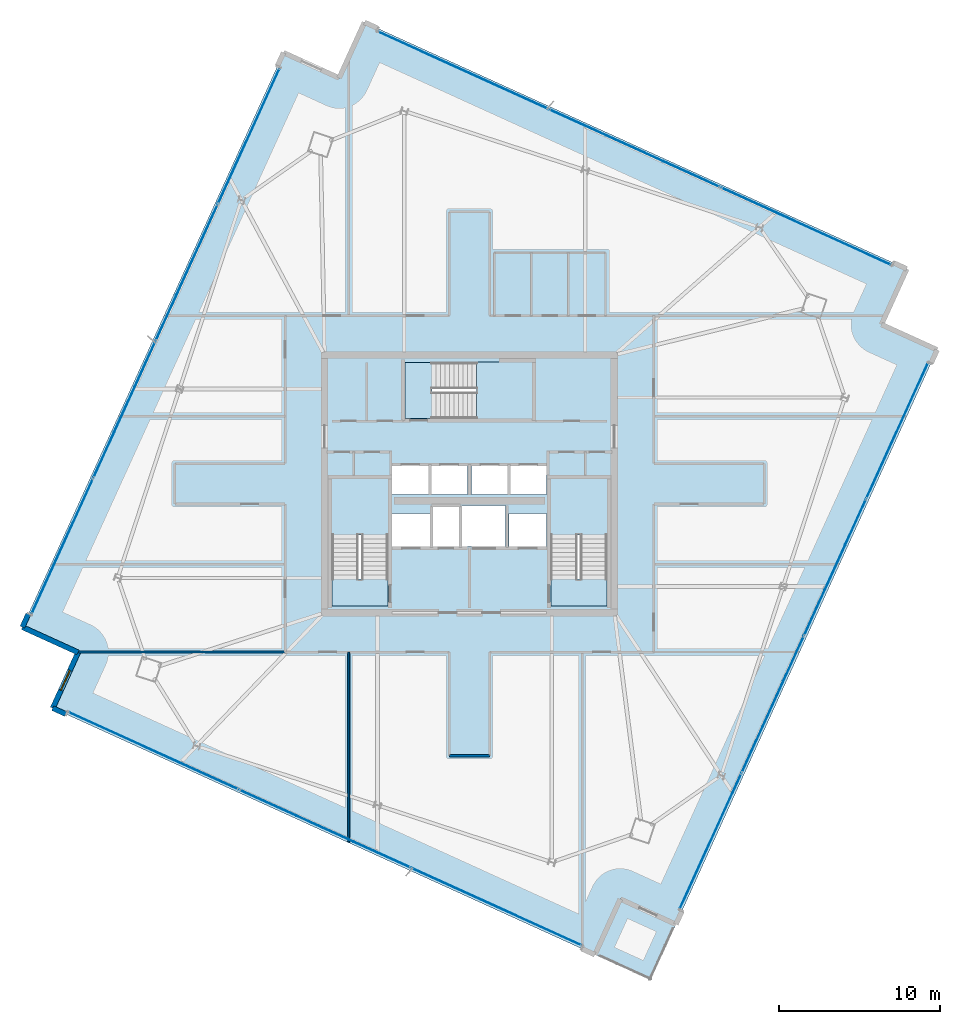
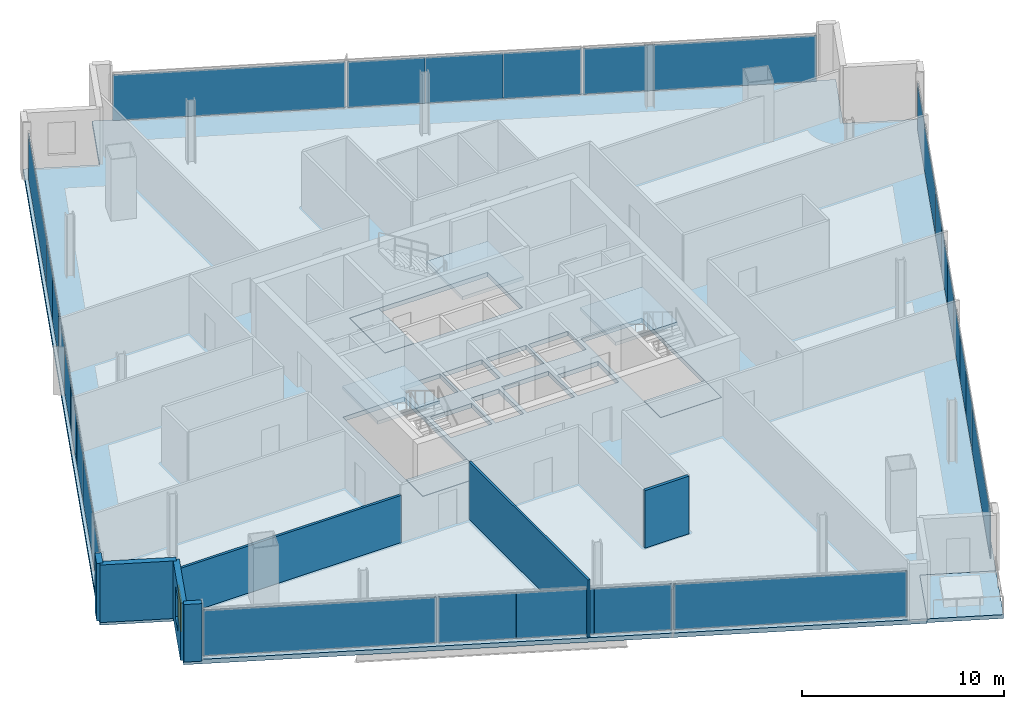
# One storey, part 18 of 26: 26 plates, 8 slabs, 7 walls, 1 window, 1 opening, 7 elements without a shape of their own.
"""IFC4 building model written with IfcOpenShell, lengths in metres."""

from ifc_helpers import new_model, si_unit, direction, frame, frame_2d, origin, origin_2d, place, context, subcontext, project, spatial, polyline, rectangle, outline, extrude, source, transform, mapped, material, layer, layer_set, type_object, element, fill, aggregate, save


model = new_model("IFC4")

# Units and contexts
model_context = context("Model", 3, precision=1e-05, world=origin(), true_north=direction((0.0, 1.0)))
body_context = subcontext(model_context, "Body", "Model", "MODEL_VIEW")
ifc_project = project(units=[si_unit("LENGTHUNIT", "METRE"), si_unit("AREAUNIT", "SQUARE_METRE"), si_unit("VOLUMEUNIT", "CUBIC_METRE"), si_unit("PLANEANGLEUNIT", "RADIAN"), si_unit("MASSUNIT", "GRAM", prefix="KILO")], contexts=[model_context])

# Site, building, storey
site_placement = place(None, origin())
site = spatial("IfcSite", under=ifc_project, at=site_placement, CompositionType="ELEMENT")
building_placement = place(site_placement, origin())
building = spatial("IfcBuilding", under=site, at=building_placement, Name="Haldenkirk Collegiate Tower", CompositionType="ELEMENT")
storey_placement = place(building_placement, frame((0.0, 0.0, 248.699951171875)))
storey = spatial("IfcBuildingStorey", under=building, at=storey_placement, Name="L62", CompositionType="ELEMENT", Elevation=248.699951171875)

# Slab
ifc_material_1 = material(Name="Concrete f'c 40 MPa", Category="concrete")
ifc_layer_1 = layer(ifc_material_1, 0.27001953125)
ifc_layer_set_1 = layer_set([ifc_layer_1], Name="Concrete f'c 40 MPa")
slab_type_1 = type_object("IfcSlabType", Name="SLB-FLR-270", PredefinedType="FLOOR", material=ifc_layer_set_1)
slab_1_placement = place(storey_placement, frame((0.0, 0.0, -0.27001953125)))
element("IfcSlab", 1, at=slab_1_placement, inside=storey, type_object=slab_type_1, Name="L62 composite structural floor slab", PredefinedType="FLOOR", context=body_context, shape_type="SweptSolid", body=[
    extrude(outline(polyline([(48.824951171875, -1.362060546875), (65.0498046875, 34.32275390625), (61.590576171875, 35.8955078125), (63.163330078125, 39.354736328125), (29.4814453125, 54.6689453125), (27.90869140625, 51.209716796875), (24.449462890625, 52.782470703125), (8.224609375, 17.097900390625), (11.683837890625, 15.525146484375), (10.111083984375, 12.06591796875), (43.79296875, -3.248291015625), (45.36572265625, 0.210693359375), (48.824951171875, -1.362060546875)]), holes=[polyline([(27.449951171875, 18.39990234375), (30.949951171875, 18.39990234375), (30.949951171875, 26.300048828125), (27.449951171875, 26.300048828125), (27.449951171875, 18.39990234375)]), polyline([(41.050048828125, 18.39990234375), (44.550048828125, 18.39990234375), (44.550048828125, 26.300048828125), (41.050048828125, 26.300048828125), (41.050048828125, 18.39990234375)]), polyline([(32.0, 30.050048828125), (39.89990234375, 30.050048828125), (39.89990234375, 33.550048828125), (32.0, 33.550048828125), (32.0, 30.050048828125)]), polyline([(33.75, 22.10009765625), (35.35009765625, 22.10009765625), (35.35009765625, 24.550048828125), (33.75, 24.550048828125), (33.75, 22.10009765625)]), polyline([(31.199951171875, 25.35009765625), (33.47998046875, 25.35009765625), (33.47998046875, 27.14990234375), (31.199951171875, 27.14990234375), (31.199951171875, 25.35009765625)]), polyline([(33.60009765625, 25.35009765625), (35.8798828125, 25.35009765625), (35.8798828125, 27.14990234375), (33.60009765625, 27.14990234375), (33.60009765625, 25.35009765625)]), polyline([(36.1201171875, 25.35009765625), (38.39990234375, 25.35009765625), (38.39990234375, 27.14990234375), (36.1201171875, 27.14990234375), (36.1201171875, 25.35009765625)]), polyline([(38.52001953125, 25.35009765625), (40.800048828125, 25.35009765625), (40.800048828125, 27.14990234375), (38.52001953125, 27.14990234375), (38.52001953125, 25.35009765625)]), polyline([(31.199951171875, 22.10009765625), (33.550048828125, 22.10009765625), (33.550048828125, 24.14990234375), (31.199951171875, 24.14990234375), (31.199951171875, 22.10009765625)]), polyline([(38.449951171875, 22.10009765625), (40.800048828125, 22.10009765625), (40.800048828125, 24.14990234375), (38.449951171875, 24.14990234375), (38.449951171875, 22.10009765625)]), polyline([(35.550048828125, 22.10009765625), (38.25, 22.10009765625), (38.25, 24.64990234375), (35.550048828125, 24.64990234375), (35.550048828125, 22.10009765625)])]), origin(), (0.0, 0.0, 1.0), 0.27001953125),
])

# Stair, slab
stair_type = type_object("IfcStairType", Name="STR-DOGLEG-1650", PredefinedType="HALF_TURN_STAIR", material=ifc_material_1)
stair_1_placement = place(storey_placement, origin())
stair_1 = element("IfcStair", 2, at=stair_1_placement, inside=storey, type_object=stair_type, Name="L62 Core Exit Stair ST-1", PredefinedType="HALF_TURN_STAIR")
ifc_layer_2 = layer(ifc_material_1, 0.199951171875)
ifc_layer_set_2 = layer_set([ifc_layer_2], Name="Concrete f'c 40 MPa")
slab_type_2 = type_object("IfcSlabType", Name="SLB-LANDING-200", PredefinedType="LANDING", material=ifc_layer_set_2)
slab_2_placement = place(storey_placement, frame((0.0, 0.0, 1.675048828125)))
slab_2 = element("IfcSlab", 3, at=slab_2_placement, type_object=slab_type_2, Name="ST-1 landing 1", PredefinedType="LANDING", context=body_context, shape_type="SweptSolid", body=[
    extrude(outline(polyline([(30.97509765625, 22.824951171875), (27.425048828125, 22.824951171875), (27.425048828125, 26.324951171875), (30.97509765625, 26.324951171875), (30.97509765625, 22.824951171875)])), origin(), (0.0, 0.0, 1.0), 0.199951171875),
])
aggregate(stair_1, [slab_2])

stair_2_placement = place(storey_placement, origin())
stair_2 = element("IfcStair", 4, at=stair_2_placement, inside=storey, type_object=stair_type, Name="L62 Core Exit Stair ST-2", PredefinedType="HALF_TURN_STAIR")
slab_3_placement = place(storey_placement, frame((0.0, 0.0, 1.675048828125)))
slab_3 = element("IfcSlab", 5, at=slab_3_placement, type_object=slab_type_2, Name="ST-2 landing 1", PredefinedType="LANDING", context=body_context, shape_type="SweptSolid", body=[
    extrude(outline(polyline([(44.574951171875, 22.824951171875), (41.02490234375, 22.824951171875), (41.02490234375, 26.324951171875), (44.574951171875, 26.324951171875), (44.574951171875, 22.824951171875)])), origin(), (0.0, 0.0, 1.0), 0.199951171875),
])
aggregate(stair_2, [slab_3])

stair_3_placement = place(storey_placement, origin())
stair_3 = element("IfcStair", 6, at=stair_3_placement, inside=storey, type_object=stair_type, Name="L62 Core Exit Stair ST-3", PredefinedType="HALF_TURN_STAIR")
slab_4_placement = place(storey_placement, frame((0.0, 0.0, 1.675048828125)))
slab_4 = element("IfcSlab", 7, at=slab_4_placement, type_object=slab_type_2, Name="ST-3 landing 1", PredefinedType="LANDING", context=body_context, shape_type="SweptSolid", body=[
    extrude(outline(polyline([(36.425048828125, 30.02490234375), (36.425048828125, 33.574951171875), (39.925048828125, 33.574951171875), (39.925048828125, 30.02490234375), (36.425048828125, 30.02490234375)])), origin(), (0.0, 0.0, 1.0), 0.199951171875),
])
aggregate(stair_3, [slab_4])

# Slabs
ifc_layer_3 = layer(ifc_material_1, 0.25)
ifc_layer_set_3 = layer_set([ifc_layer_3], Name="Concrete f'c 40 MPa")
slab_type_3 = type_object("IfcSlabType", Name="SLB-STAIRLAND-250", PredefinedType="LANDING", material=ifc_layer_set_3)
slab_5_placement = place(storey_placement, frame((0.0, 0.0, -0.25)))
element("IfcSlab", 8, at=slab_5_placement, inside=storey, type_object=slab_type_3, Name="L62 stair ST1 structural floor landing slab", PredefinedType="LANDING", context=body_context, shape_type="SweptSolid", body=[
    extrude(outline(polyline([(27.4599609375, 18.409912109375), (30.93994140625, 18.409912109375), (30.93994140625, 20.080078125), (27.4599609375, 20.080078125), (27.4599609375, 18.409912109375)])), origin(), (0.0, 0.0, 1.0), 0.25),
])
slab_6_placement = place(storey_placement, frame((0.0, 0.0, -0.25)))
element("IfcSlab", 9, at=slab_6_placement, inside=storey, type_object=slab_type_3, Name="L62 stair ST2 structural floor landing slab", PredefinedType="LANDING", context=body_context, shape_type="SweptSolid", body=[
    extrude(outline(polyline([(41.06005859375, 18.409912109375), (44.5400390625, 18.409912109375), (44.5400390625, 20.080078125), (41.06005859375, 20.080078125), (41.06005859375, 18.409912109375)])), origin(), (0.0, 0.0, 1.0), 0.25),
])
slab_7_placement = place(storey_placement, frame((0.0, 0.0, -0.25)))
element("IfcSlab", 10, at=slab_7_placement, inside=storey, type_object=slab_type_3, Name="L62 stair ST3 structural floor landing slab", PredefinedType="LANDING", context=body_context, shape_type="SweptSolid", body=[
    extrude(outline(polyline([(32.010009765625, 30.06005859375), (33.679931640625, 30.06005859375), (33.679931640625, 33.5400390625), (32.010009765625, 33.5400390625), (32.010009765625, 30.06005859375)])), origin(), (0.0, 0.0, 1.0), 0.25),
])
ifc_layer_4 = layer(ifc_material_1, 0.22998046875)
ifc_layer_set_4 = layer_set([ifc_layer_4], Name="Concrete f'c 40 MPa")
slab_type_4 = type_object("IfcSlabType", Name="SLB-TERR-SPIRAL-230", PredefinedType="FLOOR", material=ifc_layer_set_4)
slab_8_placement = place(storey_placement, frame((0.0, 0.0, -0.22998046875)))
element("IfcSlab", 11, at=slab_8_placement, inside=storey, type_object=slab_type_4, Name="L62 spiralling corner terrace slab", PredefinedType="FLOOR", context=body_context, shape_type="SweptSolid", body=[
    extrude(outline(polyline([(47.252197265625, -4.8212890625), (48.824951171875, -1.362060546875), (45.36572265625, 0.210693359375), (43.79296875, -3.248291015625), (47.252197265625, -4.8212890625)])), origin(), (0.0, 0.0, 1.0), 0.22998046875),
])

# Curtain wall, plates
ifc_material_2 = material(Name="Anodised architectural bronze aluminium", Category="aluminium")
curtain_wall_type_1 = type_object("IfcCurtainWallType", Name="CW-SYS2-CONCAVE", PredefinedType="USERDEFINED", material=ifc_material_2)
curtain_wall_1_placement = place(storey_placement, origin())
curtain_wall_1 = element("IfcCurtainWall", 12, at=curtain_wall_1_placement, inside=storey, type_object=curtain_wall_type_1, Name="L62 South concave recessed bronze-anodised curtain wall", ObjectType="UNITISED CURTAIN WALL", PredefinedType="USERDEFINED")
ifc_material_3 = material(Name="Low-E argon triple insulating glass", Category="glass")
ifc_layer_5 = layer(ifc_material_3, 0.0419921875)
ifc_layer_set_5 = layer_set([ifc_layer_5], Name="Low-E argon triple insulating glass")
plate_type_1 = type_object("IfcPlateType", Name="CW-PNL-02", PredefinedType="CURTAIN_PANEL", material=ifc_layer_set_5)
shared_shape_1 = source(origin(), body_context, "Body", "SweptSolid", [
    extrude(rectangle(XDim=9.237548828125, YDim=0.0419921875, at=origin_2d()), origin(), (0.0, 0.0, 1.0), 2.7880859375),
])
plate_1_placement = place(storey_placement, frame((62.570556640625, 29.30517578125, 0.074951171875), z_axis=(0.0, 0.0, 1.0), x_axis=(-0.413898228049, -0.910323160651, 0.0)))
plate_1 = element("IfcPlate", 13, at=plate_1_placement, type_object=plate_type_1, Name="CW-02 panel 1.1", PredefinedType="CURTAIN_PANEL", context=body_context, shape_type="MappedRepresentation", body=[
    mapped(shared_shape_1, transform((0.0, 0.0, 0.0), x_axis=(1.0, 0.0, 0.0), y_axis=(0.0, 1.0, 0.0), z_axis=(0.0, 0.0, 1.0), scale=1.0)),
])
plate_2_placement = place(storey_placement, frame((50.976318359375, 3.8046875, 0.074951171875), z_axis=(0.0, 0.0, 1.0), x_axis=(-0.413898228049, -0.910323160651, 0.0)))
plate_2 = element("IfcPlate", 14, at=plate_2_placement, type_object=plate_type_1, Name="CW-02 panel 4.1", PredefinedType="CURTAIN_PANEL", context=body_context, shape_type="MappedRepresentation", body=[
    mapped(shared_shape_1, transform((0.0, 0.0, 0.0), x_axis=(1.0, 0.0, 0.0), y_axis=(0.0, 1.0, 0.0), z_axis=(0.0, 0.0, 1.0), scale=1.0)),
])
shared_shape_2 = source(origin(), body_context, "Body", "SweptSolid", [
    extrude(rectangle(XDim=3.0791015625, YDim=0.0419921875, at=origin_2d()), origin(), (0.0, 0.0, 1.0), 2.7880859375),
])
plate_3_placement = place(storey_placement, frame((59.99072265625, 23.630615234375, 0.074951171875), z_axis=(0.0, 0.0, 1.0), x_axis=(-0.413898228049, -0.910323160651, 0.0)))
plate_3 = element("IfcPlate", 15, at=plate_3_placement, type_object=plate_type_1, Name="CW-02 panel 2.1a", PredefinedType="CURTAIN_PANEL", context=body_context, shape_type="MappedRepresentation", body=[
    mapped(shared_shape_2, transform((0.0, 0.0, 0.0), x_axis=(1.0, 0.0, 0.0), y_axis=(0.0, 1.0, 0.0), z_axis=(0.0, 0.0, 1.0), scale=1.0)),
])
ifc_material_4 = material(Name="Bronze-anodised insulated aluminium spandrel panel", Category="aluminium")
ifc_layer_6 = layer(ifc_material_4, 0.0419921875)
ifc_layer_set_6 = layer_set([ifc_layer_6], Name="Bronze-anodised insulated aluminium spandrel panel")
plate_type_2 = type_object("IfcPlateType", Name="CW-SPD-02", PredefinedType="CURTAIN_PANEL", material=ifc_layer_set_6)
plate_4_placement = place(storey_placement, frame((57.42626953125, 17.990478515625, 0.074951171875), z_axis=(0.0, 0.0, 1.0), x_axis=(-0.413898228049, -0.910323160651, 0.0)))
plate_4 = element("IfcPlate", 16, at=plate_4_placement, type_object=plate_type_2, Name="CW-02 spandrel panel 2.1c", PredefinedType="CURTAIN_PANEL", context=body_context, shape_type="MappedRepresentation", body=[
    mapped(shared_shape_2, transform((0.0, 0.0, 0.0), x_axis=(1.0, 0.0, 0.0), y_axis=(0.0, 1.0, 0.0), z_axis=(0.0, 0.0, 1.0), scale=1.0)),
])
plate_5_placement = place(storey_placement, frame((56.12060546875, 15.119140625, 0.074951171875), z_axis=(0.0, 0.0, 1.0), x_axis=(-0.413898228049, -0.910323160651, 0.0)))
plate_5 = element("IfcPlate", 17, at=plate_5_placement, type_object=plate_type_2, Name="CW-02 spandrel panel 3.1a", PredefinedType="CURTAIN_PANEL", context=body_context, shape_type="MappedRepresentation", body=[
    mapped(shared_shape_2, transform((0.0, 0.0, 0.0), x_axis=(1.0, 0.0, 0.0), y_axis=(0.0, 1.0, 0.0), z_axis=(0.0, 0.0, 1.0), scale=1.0)),
])
plate_6_placement = place(storey_placement, frame((53.556396484375, 9.47900390625, 0.074951171875), z_axis=(0.0, 0.0, 1.0), x_axis=(-0.413898228049, -0.910323160651, 0.0)))
plate_6 = element("IfcPlate", 18, at=plate_6_placement, type_object=plate_type_1, Name="CW-02 panel 3.1c", PredefinedType="CURTAIN_PANEL", context=body_context, shape_type="MappedRepresentation", body=[
    mapped(shared_shape_2, transform((0.0, 0.0, 0.0), x_axis=(1.0, 0.0, 0.0), y_axis=(0.0, 1.0, 0.0), z_axis=(0.0, 0.0, 1.0), scale=1.0)),
])
shared_shape_3 = source(origin(), body_context, "Body", "SweptSolid", [
    extrude(rectangle(XDim=3.066650390625, YDim=0.0419921875, at=origin_2d()), origin(), (0.0, 0.0, 1.0), 2.7880859375),
])
plate_7_placement = place(storey_placement, frame((58.70849609375, 20.810546875, 0.074951171875), z_axis=(0.0, 0.0, 1.0), x_axis=(-0.413898228049, -0.910323160651, 0.0)))
plate_7 = element("IfcPlate", 19, at=plate_7_placement, type_object=plate_type_2, Name="CW-02 spandrel panel 2.1b", PredefinedType="CURTAIN_PANEL", context=body_context, shape_type="MappedRepresentation", body=[
    mapped(shared_shape_3, transform((0.0, 0.0, 0.0), x_axis=(1.0, 0.0, 0.0), y_axis=(0.0, 1.0, 0.0), z_axis=(0.0, 0.0, 1.0), scale=1.0)),
])
plate_8_placement = place(storey_placement, frame((54.83837890625, 12.299072265625, 0.074951171875), z_axis=(0.0, 0.0, 1.0), x_axis=(-0.413898228049, -0.910323160651, 0.0)))
plate_8 = element("IfcPlate", 20, at=plate_8_placement, type_object=plate_type_2, Name="CW-02 spandrel panel 3.1b", PredefinedType="CURTAIN_PANEL", context=body_context, shape_type="MappedRepresentation", body=[
    mapped(shared_shape_3, transform((0.0, 0.0, 0.0), x_axis=(1.0, 0.0, 0.0), y_axis=(0.0, 1.0, 0.0), z_axis=(0.0, 0.0, 1.0), scale=1.0)),
])
aggregate(curtain_wall_1, [plate_1, plate_3, plate_7, plate_4, plate_5, plate_8, plate_6, plate_2])

curtain_wall_type_2 = type_object("IfcCurtainWallType", Name="CW-SYS1B-CONVEX-HI", PredefinedType="USERDEFINED", material=ifc_material_2)
curtain_wall_2_placement = place(storey_placement, origin())
curtain_wall_2 = element("IfcCurtainWall", 21, at=curtain_wall_2_placement, inside=storey, type_object=curtain_wall_type_2, Name="L62 Upper tower high-wind convex bronze unitised curtain wall", ObjectType="UNITISED CURTAIN WALL", PredefinedType="USERDEFINED")
ifc_layer_7 = layer(ifc_material_3, 0.048095703125)
ifc_layer_set_7 = layer_set([ifc_layer_7], Name="Low-E argon triple insulating glass")
plate_type_3 = type_object("IfcPlateType", Name="CW-PNL-1B", PredefinedType="CURTAIN_PANEL", material=ifc_layer_set_7)
shared_shape_4 = source(origin(), body_context, "Body", "SweptSolid", [
    extrude(rectangle(XDim=11.605712890625, YDim=0.048095703125, at=origin_2d()), origin(), (0.0, 0.0, 1.0), 2.76806640625),
])
plate_9_placement = place(storey_placement, frame((35.586181640625, 51.695556640625, 0.0849609375), z_axis=(0.0, 0.0, 1.0), x_axis=(0.910321912677, -0.413900972818, 0.0)))
plate_9 = element("IfcPlate", 22, at=plate_9_placement, type_object=plate_type_3, Name="CW-1B panel 1.1", PredefinedType="CURTAIN_PANEL", context=body_context, shape_type="MappedRepresentation", body=[
    mapped(shared_shape_4, transform((0.0, 0.0, 0.0), x_axis=(1.0, 0.0, 0.0), y_axis=(0.0, 1.0, 0.0), z_axis=(0.0, 0.0, 1.0), scale=1.0)),
])
plate_10_placement = place(storey_placement, frame((56.90966796875, 42.000244140625, 0.0849609375), z_axis=(0.0, 0.0, 1.0), x_axis=(0.910321912677, -0.413900972818, 0.0)))
plate_10 = element("IfcPlate", 23, at=plate_10_placement, type_object=plate_type_3, Name="CW-1B panel 3.1", PredefinedType="CURTAIN_PANEL", context=body_context, shape_type="MappedRepresentation", body=[
    mapped(shared_shape_4, transform((0.0, 0.0, 0.0), x_axis=(1.0, 0.0, 0.0), y_axis=(0.0, 1.0, 0.0), z_axis=(0.0, 0.0, 1.0), scale=1.0)),
])
ifc_layer_8 = layer(ifc_material_4, 0.048095703125)
ifc_layer_set_8 = layer_set([ifc_layer_8], Name="Bronze-anodised insulated aluminium spandrel panel")
plate_type_4 = type_object("IfcPlateType", Name="CW-SPD-1B", PredefinedType="CURTAIN_PANEL", material=ifc_layer_set_8)
shared_shape_5 = source(origin(), body_context, "Body", "SweptSolid", [
    extrude(rectangle(XDim=3.870361328125, YDim=0.048095703125, at=origin_2d()), origin(), (0.0, 0.0, 1.0), 2.76806640625),
])
plate_11_placement = place(storey_placement, frame((42.707763671875, 48.45751953125, 0.0849609375), z_axis=(0.0, 0.0, 1.0), x_axis=(0.910321912677, -0.413900972818, 0.0)))
plate_11 = element("IfcPlate", 24, at=plate_11_placement, type_object=plate_type_4, Name="CW-1B spandrel panel 2.1a", PredefinedType="CURTAIN_PANEL", context=body_context, shape_type="MappedRepresentation", body=[
    mapped(shared_shape_5, transform((0.0, 0.0, 0.0), x_axis=(1.0, 0.0, 0.0), y_axis=(0.0, 1.0, 0.0), z_axis=(0.0, 0.0, 1.0), scale=1.0)),
])
plate_12_placement = place(storey_placement, frame((49.7880859375, 45.23828125, 0.0849609375), z_axis=(0.0, 0.0, 1.0), x_axis=(0.910321912677, -0.413900972818, 0.0)))
plate_12 = element("IfcPlate", 25, at=plate_12_placement, type_object=plate_type_4, Name="CW-1B spandrel panel 2.1c", PredefinedType="CURTAIN_PANEL", context=body_context, shape_type="MappedRepresentation", body=[
    mapped(shared_shape_5, transform((0.0, 0.0, 0.0), x_axis=(1.0, 0.0, 0.0), y_axis=(0.0, 1.0, 0.0), z_axis=(0.0, 0.0, 1.0), scale=1.0)),
])

curtain_wall_3_placement = place(storey_placement, origin())
curtain_wall_3 = element("IfcCurtainWall", 26, at=curtain_wall_3_placement, inside=storey, type_object=curtain_wall_type_2, Name="L62 Upper tower high-wind convex bronze unitised curtain wall", ObjectType="UNITISED CURTAIN WALL", PredefinedType="USERDEFINED")
plate_13_placement = place(storey_placement, frame((30.56689453125, 2.962890625, 0.0849609375), z_axis=(0.0, 0.0, 1.0), x_axis=(-0.910323469761, 0.413897548196, 0.0)))
plate_13 = element("IfcPlate", 27, at=plate_13_placement, type_object=plate_type_4, Name="CW-1B spandrel panel 2.1a", PredefinedType="CURTAIN_PANEL", context=body_context, shape_type="MappedRepresentation", body=[
    mapped(shared_shape_5, transform((0.0, 0.0, 0.0), x_axis=(1.0, 0.0, 0.0), y_axis=(0.0, 1.0, 0.0), z_axis=(0.0, 0.0, 1.0), scale=1.0)),
])
plate_14_placement = place(storey_placement, frame((23.486083984375, 6.182373046875, 0.0849609375), z_axis=(0.0, 0.0, 1.0), x_axis=(-0.910323469761, 0.413897548196, 0.0)))
plate_14 = element("IfcPlate", 28, at=plate_14_placement, type_object=plate_type_4, Name="CW-1B spandrel panel 2.1c", PredefinedType="CURTAIN_PANEL", context=body_context, shape_type="MappedRepresentation", body=[
    mapped(shared_shape_5, transform((0.0, 0.0, 0.0), x_axis=(1.0, 0.0, 0.0), y_axis=(0.0, 1.0, 0.0), z_axis=(0.0, 0.0, 1.0), scale=1.0)),
])

# Plate
shared_shape_6 = source(origin(), body_context, "Body", "SweptSolid", [
    extrude(rectangle(XDim=3.85791015625, YDim=0.048095703125, at=origin_2d()), origin(), (0.0, 0.0, 1.0), 2.76806640625),
])
plate_15_placement = place(storey_placement, frame((46.248046875, 46.847900390625, 0.0849609375), z_axis=(0.0, 0.0, 1.0), x_axis=(0.910321912677, -0.413900972818, 0.0)))
plate_15 = element("IfcPlate", 29, at=plate_15_placement, type_object=plate_type_4, Name="CW-1B spandrel panel 2.1b", PredefinedType="CURTAIN_PANEL", context=body_context, shape_type="MappedRepresentation", body=[
    mapped(shared_shape_6, transform((0.0, 0.0, 0.0), x_axis=(1.0, 0.0, 0.0), y_axis=(0.0, 1.0, 0.0), z_axis=(0.0, 0.0, 1.0), scale=1.0)),
])

aggregate(curtain_wall_2, [plate_9, plate_11, plate_15, plate_12, plate_10])

plate_16_placement = place(storey_placement, frame((27.026611328125, 4.572509765625, 0.0849609375), z_axis=(0.0, 0.0, 1.0), x_axis=(-0.910323469761, 0.413897548196, 0.0)))
plate_16 = element("IfcPlate", 30, at=plate_16_placement, type_object=plate_type_4, Name="CW-1B spandrel panel 2.1b", PredefinedType="CURTAIN_PANEL", context=body_context, shape_type="MappedRepresentation", body=[
    mapped(shared_shape_6, transform((0.0, 0.0, 0.0), x_axis=(1.0, 0.0, 0.0), y_axis=(0.0, 1.0, 0.0), z_axis=(0.0, 0.0, 1.0), scale=1.0)),
])

# Curtain wall, plates
curtain_wall_4_placement = place(storey_placement, origin())
curtain_wall_4 = element("IfcCurtainWall", 31, at=curtain_wall_4_placement, inside=storey, type_object=curtain_wall_type_2, Name="L62 Upper tower high-wind convex bronze unitised curtain wall", ObjectType="UNITISED CURTAIN WALL", PredefinedType="USERDEFINED")
shared_shape_7 = source(origin(), body_context, "Body", "SweptSolid", [
    extrude(rectangle(XDim=9.222412109375, YDim=0.048095703125, at=origin_2d()), origin(), (0.0, 0.0, 1.0), 2.76806640625),
])
plate_17_placement = place(storey_placement, frame((10.704833984375, 22.11767578125, 0.0849609375), z_axis=(0.0, 0.0, 1.0), x_axis=(0.4138992355, 0.910322702591, 0.0)))
plate_17 = element("IfcPlate", 32, at=plate_17_placement, type_object=plate_type_3, Name="CW-1B panel 1.1", PredefinedType="CURTAIN_PANEL", context=body_context, shape_type="MappedRepresentation", body=[
    mapped(shared_shape_7, transform((0.0, 0.0, 0.0), x_axis=(1.0, 0.0, 0.0), y_axis=(0.0, 1.0, 0.0), z_axis=(0.0, 0.0, 1.0), scale=1.0)),
])
plate_18_placement = place(storey_placement, frame((22.297119140625, 47.613525390625, 0.0849609375), z_axis=(0.0, 0.0, 1.0), x_axis=(0.4138992355, 0.910322702591, 0.0)))
plate_18 = element("IfcPlate", 33, at=plate_18_placement, type_object=plate_type_3, Name="CW-1B panel 4.1", PredefinedType="CURTAIN_PANEL", context=body_context, shape_type="MappedRepresentation", body=[
    mapped(shared_shape_7, transform((0.0, 0.0, 0.0), x_axis=(1.0, 0.0, 0.0), y_axis=(0.0, 1.0, 0.0), z_axis=(0.0, 0.0, 1.0), scale=1.0)),
])
shared_shape_8 = source(origin(), body_context, "Body", "SweptSolid", [
    extrude(rectangle(XDim=3.07568359375, YDim=0.048095703125, at=origin_2d()), origin(), (0.0, 0.0, 1.0), 2.76806640625),
])
plate_19_placement = place(storey_placement, frame((13.28515625, 27.79296875, 0.0849609375), z_axis=(0.0, 0.0, 1.0), x_axis=(0.4138992355, 0.910322702591, 0.0)))
plate_19 = element("IfcPlate", 34, at=plate_19_placement, type_object=plate_type_3, Name="CW-1B panel 2.1a", PredefinedType="CURTAIN_PANEL", context=body_context, shape_type="MappedRepresentation", body=[
    mapped(shared_shape_8, transform((0.0, 0.0, 0.0), x_axis=(1.0, 0.0, 0.0), y_axis=(0.0, 1.0, 0.0), z_axis=(0.0, 0.0, 1.0), scale=1.0)),
])
plate_20_placement = place(storey_placement, frame((15.8466796875, 33.427001953125, 0.0849609375), z_axis=(0.0, 0.0, 1.0), x_axis=(0.4138992355, 0.910322702591, 0.0)))
plate_20 = element("IfcPlate", 35, at=plate_20_placement, type_object=plate_type_4, Name="CW-1B spandrel panel 2.1c", PredefinedType="CURTAIN_PANEL", context=body_context, shape_type="MappedRepresentation", body=[
    mapped(shared_shape_8, transform((0.0, 0.0, 0.0), x_axis=(1.0, 0.0, 0.0), y_axis=(0.0, 1.0, 0.0), z_axis=(0.0, 0.0, 1.0), scale=1.0)),
])
plate_21_placement = place(storey_placement, frame((17.155029296875, 36.304443359375, 0.0849609375), z_axis=(0.0, 0.0, 1.0), x_axis=(0.4138992355, 0.910322702591, 0.0)))
plate_21 = element("IfcPlate", 36, at=plate_21_placement, type_object=plate_type_4, Name="CW-1B spandrel panel 3.1a", PredefinedType="CURTAIN_PANEL", context=body_context, shape_type="MappedRepresentation", body=[
    mapped(shared_shape_8, transform((0.0, 0.0, 0.0), x_axis=(1.0, 0.0, 0.0), y_axis=(0.0, 1.0, 0.0), z_axis=(0.0, 0.0, 1.0), scale=1.0)),
])
plate_22_placement = place(storey_placement, frame((19.716796875, 41.9384765625, 0.0849609375), z_axis=(0.0, 0.0, 1.0), x_axis=(0.4138992355, 0.910322702591, 0.0)))
plate_22 = element("IfcPlate", 37, at=plate_22_placement, type_object=plate_type_3, Name="CW-1B panel 3.1c", PredefinedType="CURTAIN_PANEL", context=body_context, shape_type="MappedRepresentation", body=[
    mapped(shared_shape_8, transform((0.0, 0.0, 0.0), x_axis=(1.0, 0.0, 0.0), y_axis=(0.0, 1.0, 0.0), z_axis=(0.0, 0.0, 1.0), scale=1.0)),
])
shared_shape_9 = source(origin(), body_context, "Body", "SweptSolid", [
    extrude(rectangle(XDim=3.063232421875, YDim=0.048095703125, at=origin_2d()), origin(), (0.0, 0.0, 1.0), 2.76806640625),
])
plate_23_placement = place(storey_placement, frame((14.56591796875, 30.610107421875, 0.0849609375), z_axis=(0.0, 0.0, 1.0), x_axis=(0.4138992355, 0.910322702591, 0.0)))
plate_23 = element("IfcPlate", 38, at=plate_23_placement, type_object=plate_type_3, Name="CW-1B panel 2.1b", PredefinedType="CURTAIN_PANEL", context=body_context, shape_type="MappedRepresentation", body=[
    mapped(shared_shape_9, transform((0.0, 0.0, 0.0), x_axis=(1.0, 0.0, 0.0), y_axis=(0.0, 1.0, 0.0), z_axis=(0.0, 0.0, 1.0), scale=1.0)),
])
plate_24_placement = place(storey_placement, frame((18.435791015625, 39.121337890625, 0.0849609375), z_axis=(0.0, 0.0, 1.0), x_axis=(0.4138992355, 0.910322702591, 0.0)))
plate_24 = element("IfcPlate", 39, at=plate_24_placement, type_object=plate_type_4, Name="CW-1B spandrel panel 3.1b", PredefinedType="CURTAIN_PANEL", context=body_context, shape_type="MappedRepresentation", body=[
    mapped(shared_shape_9, transform((0.0, 0.0, 0.0), x_axis=(1.0, 0.0, 0.0), y_axis=(0.0, 1.0, 0.0), z_axis=(0.0, 0.0, 1.0), scale=1.0)),
])
aggregate(curtain_wall_4, [plate_17, plate_19, plate_23, plate_20, plate_21, plate_24, plate_22, plate_18])

# Plate
shared_shape_10 = source(origin(), body_context, "Body", "SweptSolid", [
    extrude(rectangle(XDim=11.60595703125, YDim=0.048095703125, at=origin_2d()), origin(), (0.0, 0.0, 1.0), 2.76806640625),
])
plate_25_placement = place(storey_placement, frame((37.688232421875, -0.27490234375, 0.0849609375), z_axis=(0.0, 0.0, 1.0), x_axis=(-0.910323469761, 0.413897548196, 0.0)))
plate_25 = element("IfcPlate", 40, at=plate_25_placement, type_object=plate_type_3, Name="CW-1B panel 1.1", PredefinedType="CURTAIN_PANEL", context=body_context, shape_type="MappedRepresentation", body=[
    mapped(shared_shape_10, transform((0.0, 0.0, 0.0), x_axis=(1.0, 0.0, 0.0), y_axis=(0.0, 1.0, 0.0), z_axis=(0.0, 0.0, 1.0), scale=1.0)),
])

plate_26_placement = place(storey_placement, frame((16.36474609375, 9.420166015625, 0.0849609375), z_axis=(0.0, 0.0, 1.0), x_axis=(-0.910323469761, 0.413897548196, 0.0)))
plate_26 = element("IfcPlate", 41, at=plate_26_placement, type_object=plate_type_3, Name="CW-1B panel 3.1", PredefinedType="CURTAIN_PANEL", context=body_context, shape_type="MappedRepresentation", body=[
    mapped(shared_shape_10, transform((0.0, 0.0, 0.0), x_axis=(1.0, 0.0, 0.0), y_axis=(0.0, 1.0, 0.0), z_axis=(0.0, 0.0, 1.0), scale=1.0)),
])

aggregate(curtain_wall_3, [plate_25, plate_13, plate_16, plate_14, plate_26])

# Walls
ifc_material_5 = material(Name="Precast concrete f'c 40 MPa", Category="concrete")
ifc_layer_9 = layer(ifc_material_5, 0.320068359375)
ifc_layer_set_9 = layer_set([ifc_layer_9], Name="Precast concrete f'c 40 MPa")
wall_type_1 = type_object("IfcWallType", Name="WL-EXT-TWR-320", PredefinedType="STANDARD", material=ifc_layer_set_9)
wall_1_placement = place(storey_placement, frame((8.224609375, 17.097900390625, 0.0), z_axis=(0.0, 0.0, 1.0), x_axis=(0.413925559836, 0.910310733165, 0.0)))
element("IfcWall", 42, at=wall_1_placement, inside=storey, type_object=wall_type_1, Name="L62 precast corner pier NL", PredefinedType="STANDARD", context=body_context, shape_type="SweptSolid", body=[
    extrude(rectangle(XDim=0.900146484375, YDim=0.320068359375, at=frame_2d((0.4501953125, 0.0))), origin(), (0.0, 0.0, 1.0), 3.47998046875),
])
wall_2_placement = place(storey_placement, frame((11.683837890625, 15.525146484375, 0.0), z_axis=(0.0, 0.0, 1.0), x_axis=(-0.910329069121, 0.413885232781, 0.0)))
element("IfcWall", 43, at=wall_2_placement, inside=storey, type_object=wall_type_1, Name="L62 bronze precast notch wall 08", PredefinedType="STANDARD", context=body_context, shape_type="SweptSolid", body=[
    extrude(rectangle(XDim=3.800048828125, YDim=0.320068359375, at=frame_2d((1.89990234375, 0.0))), origin(), (0.0, 0.0, 1.0), 3.47998046875),
])

# Wall, opening, window
wall_3_placement = place(storey_placement, frame((10.111083984375, 12.06591796875, 0.0), z_axis=(0.0, 0.0, 1.0), x_axis=(0.413885232781, 0.910329069121, 0.0)))
wall_3 = element("IfcWall", 44, at=wall_3_placement, inside=storey, type_object=wall_type_1, Name="L62 bronze precast notch wall 09", PredefinedType="STANDARD", context=body_context, shape_type="SweptSolid", body=[
    extrude(rectangle(XDim=3.800048828125, YDim=0.320068359375, at=frame_2d((1.89990234375, 0.0))), origin(), (0.0, 0.0, 1.0), 3.47998046875),
])
opening_placement = place(wall_3_placement, frame((1.22509765625, 0.0, 0.85009765625)))
opening = element("IfcOpeningElement", 45, at=opening_placement, cuts=wall_3, Name="Opening W-07", PredefinedType="OPENING", context=body_context, shape_type="SweptSolid", body=[
    extrude(rectangle(XDim=1.35009765625, YDim=1.949951171875, at=frame_2d((0.675048828125, 0.97509765625))), frame((0.0, 0.169921875, 0.0), z_axis=(0.0, -1.0, 0.0), x_axis=(1.0, 0.0, 0.0)), (0.0, 0.0, 1.0), 0.340087890625),
])
ifc_layer_10 = layer(ifc_material_3, 0.090087890625)
ifc_layer_set_10 = layer_set([ifc_layer_10], Name="Low-E argon triple insulating glass")
window_type = type_object("IfcWindowType", Name="WN-Z5-1350X1950", PartitioningType="SINGLE_PANEL", PredefinedType="WINDOW", material=ifc_layer_set_10)
window_placement = place(opening_placement, origin())
window = element("IfcWindow", 46, at=window_placement, inside=storey, type_object=window_type, Name="L62 precast-frame academic window 8", OverallHeight=1.949951171875, OverallWidth=1.35009765625, PartitioningType="SINGLE_PANEL", PredefinedType="WINDOW", context=body_context, shape_type="SweptSolid", body=[
    extrude(rectangle(XDim=1.35009765625, YDim=1.949951171875, at=frame_2d((0.675048828125, 0.97509765625))), frame((0.0, 0.030029296875, 0.0), z_axis=(0.0, -1.0, 0.0), x_axis=(1.0, 0.0, 0.0)), (0.0, 0.0, 1.0), 0.06005859375),
])
fill(opening, window)

# Walls
wall_4_placement = place(storey_placement, frame((10.930419921875, 11.693359375, 0.0), z_axis=(0.0, 0.0, 1.0), x_axis=(-0.910310733165, 0.413925559836, 0.0)))
element("IfcWall", 47, at=wall_4_placement, inside=storey, type_object=wall_type_1, Name="L62 precast corner pier WR", PredefinedType="STANDARD", context=body_context, shape_type="SweptSolid", body=[
    extrude(rectangle(XDim=0.900146484375, YDim=0.320068359375, at=frame_2d((0.4501953125, 0.0))), origin(), (0.0, 0.0, 1.0), 3.47998046875),
])
ifc_material_6 = material(Name="Acoustic fire-rated gypsum partition", Category="concrete")
ifc_layer_11 = layer(ifc_material_6, 0.159912109375)
ifc_layer_set_11 = layer_set([ifc_layer_11], Name="Acoustic fire-rated gypsum partition")
wall_type_2 = type_object("IfcWallType", Name="WL-INT-CORR-160", PredefinedType="PARTITIONING", material=ifc_layer_set_11)
wall_5_placement = place(storey_placement, frame((34.75, 9.10009765625, 0.0), z_axis=(0.0, 0.0, 1.0), x_axis=(1.0, 0.0, 0.0)))
element("IfcWall", 48, at=wall_5_placement, inside=storey, type_object=wall_type_2, Name="L62 interior partition IW-L62-SPS", PredefinedType="PARTITIONING", context=body_context, shape_type="SweptSolid", body=[
    extrude(rectangle(XDim=2.5, YDim=0.159912109375, at=frame_2d((1.25, 0.0))), origin(), (0.0, 0.0, 1.0), 3.47998046875),
])
ifc_layer_12 = layer(ifc_material_6, 0.139892578125)
ifc_layer_set_12 = layer_set([ifc_layer_12], Name="Acoustic fire-rated gypsum partition")
wall_type_3 = type_object("IfcWallType", Name="WL-INT-DIV-140", PredefinedType="PARTITIONING", material=ifc_layer_set_12)
wall_6_placement = place(storey_placement, frame((11.715087890625, 15.550048828125, 0.0), z_axis=(0.0, 0.0, 1.0), x_axis=(1.0, 0.0, 0.0)))
element("IfcWall", 49, at=wall_6_placement, inside=storey, type_object=wall_type_3, Name="L62 interior partition IW-L62-BWS", PredefinedType="PARTITIONING", context=body_context, shape_type="SweptSolid", body=[
    extrude(rectangle(XDim=12.8349609375, YDim=0.139892578125, at=frame_2d((6.41748046875, 0.0))), origin(), (0.0, 0.0, 1.0), 2.858154296875),
])
ifc_layer_13 = layer(ifc_material_6, 0.1201171875)
ifc_layer_set_13 = layer_set([ifc_layer_13], Name="Acoustic fire-rated gypsum partition")
wall_type_4 = type_object("IfcWallType", Name="WL-INT-WET-120", PredefinedType="PARTITIONING", material=ifc_layer_set_13)
wall_7_placement = place(storey_placement, frame((28.5, 3.748779296875, 0.0), z_axis=(0.0, 0.0, 1.0), x_axis=(0.0, 1.0, 0.0)))
element("IfcWall", 50, at=wall_7_placement, inside=storey, type_object=wall_type_4, Name="L62 interior partition IW-L62-RS1", PredefinedType="PARTITIONING", context=body_context, shape_type="SweptSolid", body=[
    extrude(rectangle(XDim=11.80126953125, YDim=0.1201171875, at=frame_2d((5.900634765625, 0.0))), origin(), (0.0, 0.0, 1.0), 3.47998046875),
])

save(model, "model.ifc")
